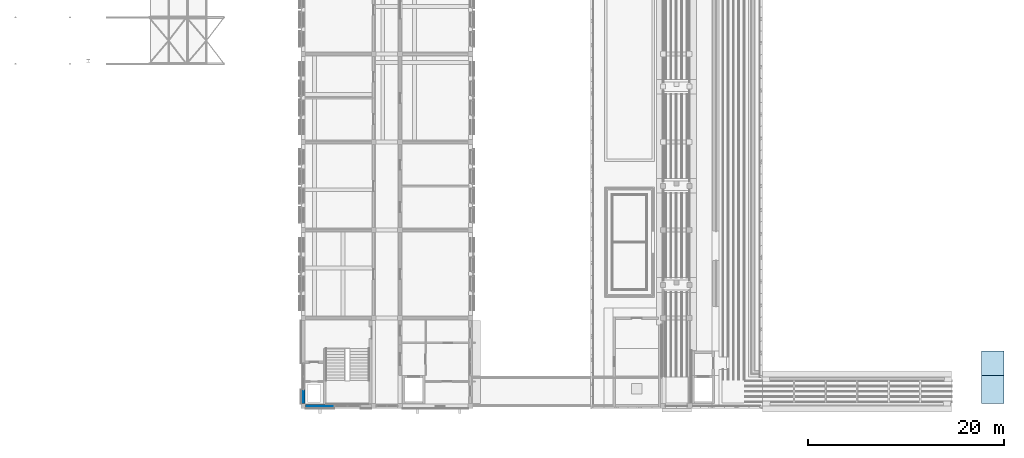
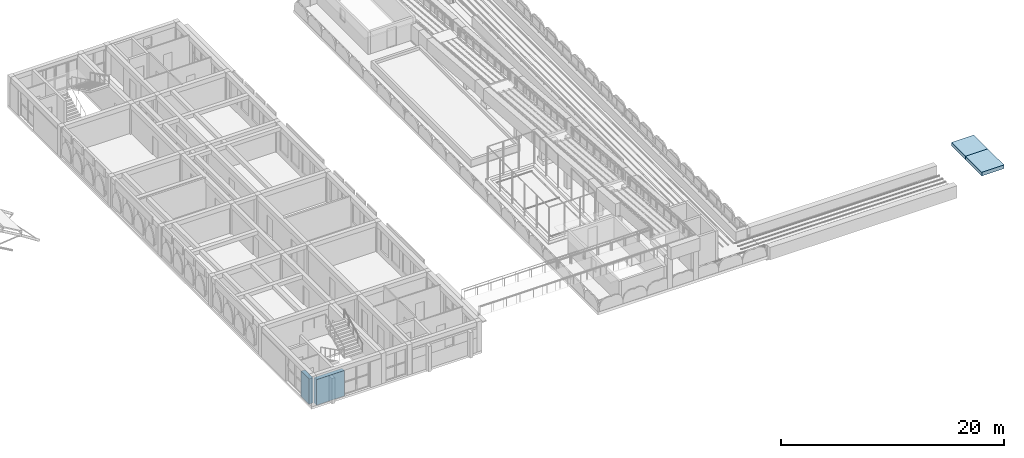
# One storey, part 28 of 50: 2 slabs, 2 walls.
"""IFC4 building model written with IfcOpenShell, lengths in metres."""

from ifc_helpers import new_model, si_unit, direction, frame, frame_2d, origin, place, context, subcontext, project, spatial, polyline, rectangle, outline, extrude, material, layer, layer_set, type_object, element, save


model = new_model("IFC4")

# Units and contexts
model_context = context("Model", 3, precision=1e-05, world=origin(), true_north=direction((0.0, 1.0)))
body_context = subcontext(model_context, "Body", "Model", "MODEL_VIEW")
ifc_project = project(units=[si_unit("LENGTHUNIT", "METRE"), si_unit("AREAUNIT", "SQUARE_METRE"), si_unit("VOLUMEUNIT", "CUBIC_METRE"), si_unit("PLANEANGLEUNIT", "RADIAN"), si_unit("MASSUNIT", "GRAM", prefix="KILO")], contexts=[model_context])

# Site, building, storey
site_placement = place(None, origin())
site = spatial("IfcSite", under=ifc_project, at=site_placement, CompositionType="ELEMENT")
building_placement = place(site_placement, origin())
building = spatial("IfcBuilding", under=site, at=building_placement, Name="Elbe Cascade School", CompositionType="ELEMENT")
storey_placement = place(building_placement, frame((0.0, 0.0, 15.300048828125)))
storey = spatial("IfcBuildingStorey", under=building, at=storey_placement, Name="L04", CompositionType="ELEMENT", Elevation=15.300048828125)

# Slabs
ifc_material_1 = material(Name="Concrete C30/37", Category="concrete")
ifc_layer_1 = layer(ifc_material_1, 0.39990234375)
ifc_layer_set_1 = layer_set([ifc_layer_1], Name="Concrete C30/37")
slab_type = type_object("IfcSlabType", Name="Lift machine roof slab 400", PredefinedType="ROOF", material=ifc_layer_set_1)
slab_1_placement = place(storey_placement, frame((0.0, 0.0, 0.599853515625)))
element("IfcSlab", 1, at=slab_1_placement, inside=storey, type_object=slab_type, Name="Lift machine roof slab 400 S6", PredefinedType="ROOF", context=body_context, shape_type="SweptSolid", body=[
    extrude(outline(polyline([(138.35009765625, 6.25), (140.64990234375, 6.25), (140.64990234375, 9.14990234375), (138.35009765625, 9.14990234375), (138.35009765625, 6.25)])), origin(), (0.0, 0.0, 1.0), 0.400146484375),
])
slab_2_placement = place(storey_placement, frame((0.0, 0.0, 0.599853515625)))
element("IfcSlab", 2, at=slab_2_placement, inside=storey, type_object=slab_type, Name="Lift machine roof slab 400 S6", PredefinedType="ROOF", context=body_context, shape_type="SweptSolid", body=[
    extrude(outline(polyline([(138.35009765625, 9.14990234375), (140.64990234375, 9.14990234375), (140.64990234375, 11.64990234375), (138.35009765625, 11.64990234375), (138.35009765625, 9.14990234375)])), origin(), (0.0, 0.0, 1.0), 0.400146484375),
])

# Walls
ifc_material_2 = material(Name="Brick masonry - red clinker, solid, sandstone-faced", Category="masonry")
ifc_layer_2 = layer(ifc_material_2, 0.39990234375)
ifc_layer_set_2 = layer_set([ifc_layer_2], Name="Brick masonry - red clinker, solid, sandstone-faced")
wall_type = type_object("IfcWallType", Name="Bars envelope External wall - solid masonry core strip, sandstone faced, 400", PredefinedType="STANDARD", material=ifc_layer_set_2)
wall_1_placement = place(storey_placement, frame((68.97998046875, 6.25, 0.0), z_axis=(0.0, 0.0, 1.0), x_axis=(0.0, 1.0, 0.0)))
element("IfcWall", 3, at=wall_1_placement, inside=storey, type_object=wall_type, Name="External wall W31 A.L04.w1a", PredefinedType="STANDARD", context=body_context, shape_type="SweptSolid", body=[
    extrude(rectangle(XDim=1.43994140625, YDim=0.39990234375, at=frame_2d((0.719970703125, 0.0))), origin(), (0.0, 0.0, 1.0), 2.75),
])
wall_2_placement = place(storey_placement, frame((72.14990234375, 5.97998046875, 0.0), z_axis=(0.0, 0.0, 1.0), x_axis=(-1.0, 0.0, 0.0)))
element("IfcWall", 4, at=wall_2_placement, inside=storey, type_object=wall_type, Name="External wall W31 A.L04.s1a", PredefinedType="STANDARD", context=body_context, shape_type="SweptSolid", body=[
    extrude(rectangle(XDim=2.89990234375, YDim=0.39990234375, at=frame_2d((1.449951171875, 0.0))), origin(), (0.0, 0.0, 1.0), 2.800048828125),
])

save(model, "model.ifc")
